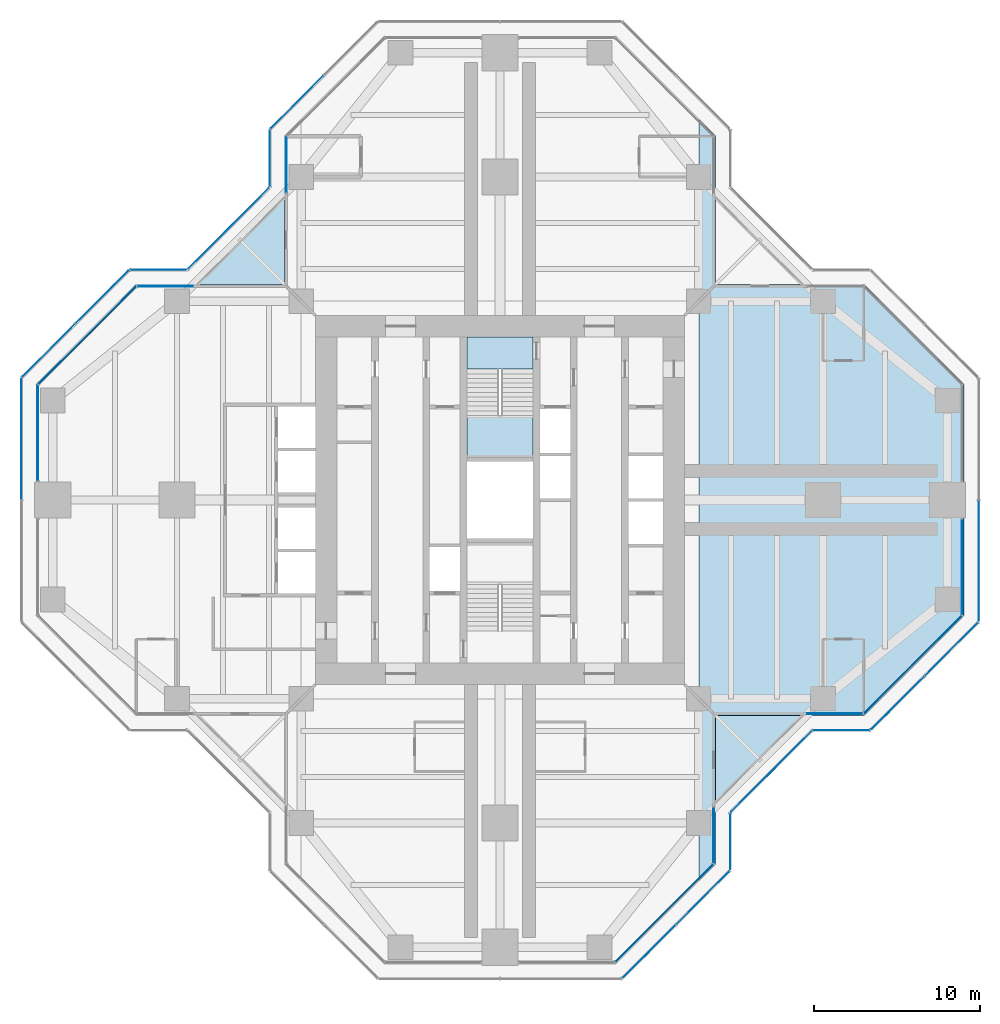
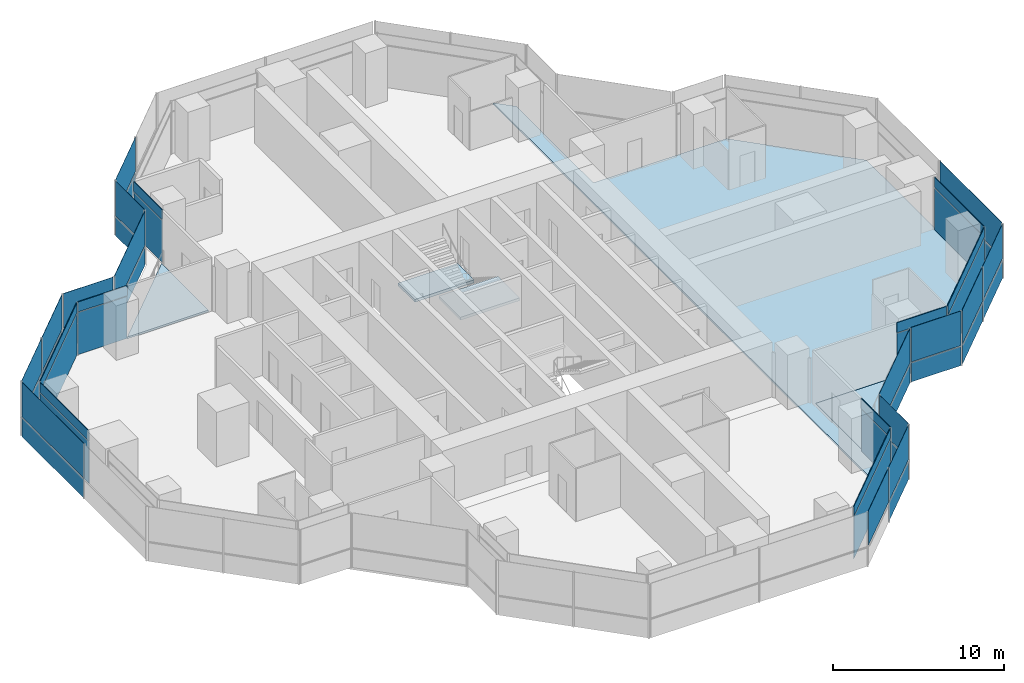
# One storey, part 11 of 17: 47 plates, 5 slabs, 22 elements without a shape of their own.
"""IFC4 building model written with IfcOpenShell, lengths in metres."""

from ifc_helpers import new_model, si_unit, direction, frame, origin, origin_2d, place, context, subcontext, project, spatial, polyline, rectangle, outline, extrude, material, layer, layer_set, type_object, element, aggregate, save


model = new_model("IFC4")

# Units and contexts
model_context = context("Model", 3, precision=1e-05, world=origin(), true_north=direction((0.0, 1.0)))
body_context = subcontext(model_context, "Body", "Model", "MODEL_VIEW")
ifc_project = project(units=[si_unit("LENGTHUNIT", "METRE"), si_unit("AREAUNIT", "SQUARE_METRE"), si_unit("VOLUMEUNIT", "CUBIC_METRE"), si_unit("PLANEANGLEUNIT", "RADIAN"), si_unit("MASSUNIT", "GRAM", prefix="KILO")], contexts=[model_context])

# Site, building, storey
site_placement = place(None, origin())
site = spatial("IfcSite", under=ifc_project, at=site_placement, CompositionType="ELEMENT")
building_placement = place(site_placement, origin())
building = spatial("IfcBuilding", under=site, at=building_placement, Name="Mizan Broadcast Tower", CompositionType="ELEMENT")
storey_placement = place(building_placement, frame((0.0, 0.0, 251.699951171875)))
storey = spatial("IfcBuildingStorey", under=building, at=storey_placement, Name="L59", CompositionType="ELEMENT", Elevation=251.699951171875)

# Slab
ifc_material_1 = material(Name="Concrete C32/40", Category="concrete")
ifc_layer_1 = layer(ifc_material_1, 0.1298828125)
ifc_layer_set_1 = layer_set([ifc_layer_1], Name="Concrete C32/40")
slab_type_1 = type_object("IfcSlabType", Name="COMPOSITE DECK SLAB 130", PredefinedType="FLOOR", material=ifc_layer_set_1)
slab_1_placement = place(storey_placement, frame((0.0, 0.0, -0.1298828125)))
element("IfcSlab", 1, at=slab_1_placement, inside=storey, type_object=slab_type_1, Name="Floor slab L59 east arm", PredefinedType="FLOOR", context=body_context, shape_type="SweptSolid", body=[
    extrude(outline(polyline([(13.0, 22.0), (12.0, 23.0), (12.0, -23.0), (13.0, -22.0), (13.0, -13.0), (22.0, -13.0), (28.0, -7.0), (28.0, 7.0), (22.0, 13.0), (13.0, 13.0), (13.0, 22.0)])), origin(), (0.0, 0.0, 1.0), 0.1298828125),
])

# Curtain wall, plate
ifc_material_2 = material(Name="Aluminium framed glazing", Category="aluminium")
curtain_wall_type_1 = type_object("IfcCurtainWallType", Name="INNER SKIN HIGH ZONE", PredefinedType="USERDEFINED", material=ifc_material_2)
curtain_wall_1_placement = place(storey_placement, origin())
curtain_wall_1 = element("IfcCurtainWall", 2, at=curtain_wall_1_placement, inside=storey, type_object=curtain_wall_type_1, Name="Inner skin high zone L59 E side", ObjectType="INNER SKIN HIGH ZONE", PredefinedType="USERDEFINED")
ifc_material_3 = material(Name="Double glazing, clear low-e", Category="glass")
ifc_layer_2 = layer(ifc_material_3, 0.028076171875)
ifc_layer_set_2 = layer_set([ifc_layer_2], Name="Double glazing, clear low-e")
plate_type_1 = type_object("IfcPlateType", Name="INNER SKIN GLAZING UNIT", PredefinedType="CURTAIN_PANEL", material=ifc_layer_set_2)
plate_1_placement = place(storey_placement, frame((20.229248046875, -12.89990234375, 0.0), z_axis=(0.0, 0.0, 1.0), x_axis=(1.0, 0.0, 0.0)))
plate_1 = element("IfcPlate", 3, at=plate_1_placement, type_object=plate_type_1, Name="Inner skin high zone L59 E side panel 1.1", PredefinedType="CURTAIN_PANEL", context=body_context, shape_type="SweptSolid", body=[
    extrude(rectangle(XDim=3.338623046875, YDim=0.028076171875, at=origin_2d()), origin(), (0.0, 0.0, 1.0), 3.0),
])

curtain_wall_2_placement = place(storey_placement, origin())
curtain_wall_2 = element("IfcCurtainWall", 4, at=curtain_wall_2_placement, inside=storey, type_object=curtain_wall_type_1, Name="Inner skin high zone L59 E chamfer", ObjectType="INNER SKIN HIGH ZONE", PredefinedType="USERDEFINED")
plate_2_placement = place(storey_placement, frame((24.92919921875, -9.92919921875, 0.0), z_axis=(0.0, 0.0, 1.0), x_axis=(0.707106781187, 0.707106781187, 0.0)))
plate_2 = element("IfcPlate", 5, at=plate_2_placement, type_object=plate_type_1, Name="Inner skin high zone L59 E chamfer panel 1.1", PredefinedType="CURTAIN_PANEL", context=body_context, shape_type="SweptSolid", body=[
    extrude(rectangle(XDim=8.282470703125, YDim=0.028076171875, at=origin_2d()), origin(), (0.0, 0.0, 1.0), 3.0),
])

curtain_wall_3_placement = place(storey_placement, origin())
curtain_wall_3 = element("IfcCurtainWall", 6, at=curtain_wall_3_placement, inside=storey, type_object=curtain_wall_type_1, Name="Inner skin high zone L59 E end", ObjectType="INNER SKIN HIGH ZONE", PredefinedType="USERDEFINED")
plate_3_placement = place(storey_placement, frame((27.89990234375, -4.029296875, 0.0), z_axis=(0.0, 0.0, 1.0), x_axis=(0.0, 1.0, 0.0)))
plate_3 = element("IfcPlate", 7, at=plate_3_placement, type_object=plate_type_1, Name="Inner skin high zone L59 E end panel 1.1", PredefinedType="CURTAIN_PANEL", context=body_context, shape_type="SweptSolid", body=[
    extrude(rectangle(XDim=5.738525390625, YDim=0.028076171875, at=origin_2d()), origin(), (0.0, 0.0, 1.0), 3.0),
])

curtain_wall_4_placement = place(storey_placement, origin())
curtain_wall_4 = element("IfcCurtainWall", 8, at=curtain_wall_4_placement, inside=storey, type_object=curtain_wall_type_1, Name="Inner skin high zone L59 N side", ObjectType="INNER SKIN HIGH ZONE", PredefinedType="USERDEFINED")
plate_4_placement = place(storey_placement, frame((-12.89990234375, 20.229248046875, 0.0), z_axis=(0.0, 0.0, 1.0), x_axis=(0.0, -1.0, 0.0)))
plate_4 = element("IfcPlate", 9, at=plate_4_placement, type_object=plate_type_1, Name="Inner skin high zone L59 N side panel 1.1", PredefinedType="CURTAIN_PANEL", context=body_context, shape_type="SweptSolid", body=[
    extrude(rectangle(XDim=3.338623046875, YDim=0.028076171875, at=origin_2d()), origin(), (0.0, 0.0, 1.0), 3.0),
])

curtain_wall_5_placement = place(storey_placement, origin())
curtain_wall_5 = element("IfcCurtainWall", 10, at=curtain_wall_5_placement, inside=storey, type_object=curtain_wall_type_1, Name="Inner skin high zone L59 W side", ObjectType="INNER SKIN HIGH ZONE", PredefinedType="USERDEFINED")
plate_5_placement = place(storey_placement, frame((-20.229248046875, 12.89990234375, 0.0), z_axis=(0.0, 0.0, 1.0), x_axis=(-1.0, 0.0, 0.0)))
plate_5 = element("IfcPlate", 11, at=plate_5_placement, type_object=plate_type_1, Name="Inner skin high zone L59 W side panel 1.1", PredefinedType="CURTAIN_PANEL", context=body_context, shape_type="SweptSolid", body=[
    extrude(rectangle(XDim=3.338623046875, YDim=0.028076171875, at=origin_2d()), origin(), (0.0, 0.0, 1.0), 3.0),
])

curtain_wall_6_placement = place(storey_placement, origin())
curtain_wall_6 = element("IfcCurtainWall", 12, at=curtain_wall_6_placement, inside=storey, type_object=curtain_wall_type_1, Name="Inner skin high zone L59 W chamfer", ObjectType="INNER SKIN HIGH ZONE", PredefinedType="USERDEFINED")
plate_6_placement = place(storey_placement, frame((-24.92919921875, 9.92919921875, 0.0), z_axis=(0.0, 0.0, 1.0), x_axis=(-0.707106781187, -0.707106781187, 0.0)))
plate_6 = element("IfcPlate", 13, at=plate_6_placement, type_object=plate_type_1, Name="Inner skin high zone L59 W chamfer panel 1.1", PredefinedType="CURTAIN_PANEL", context=body_context, shape_type="SweptSolid", body=[
    extrude(rectangle(XDim=8.282470703125, YDim=0.028076171875, at=origin_2d()), origin(), (0.0, 0.0, 1.0), 3.0),
])

curtain_wall_7_placement = place(storey_placement, origin())
curtain_wall_7 = element("IfcCurtainWall", 14, at=curtain_wall_7_placement, inside=storey, type_object=curtain_wall_type_1, Name="Inner skin high zone L59 W end", ObjectType="INNER SKIN HIGH ZONE", PredefinedType="USERDEFINED")
plate_7_placement = place(storey_placement, frame((-27.89990234375, 4.029296875, 0.0), z_axis=(0.0, 0.0, 1.0), x_axis=(0.0, -1.0, 0.0)))
plate_7 = element("IfcPlate", 15, at=plate_7_placement, type_object=plate_type_1, Name="Inner skin high zone L59 W end panel 1.1", PredefinedType="CURTAIN_PANEL", context=body_context, shape_type="SweptSolid", body=[
    extrude(rectangle(XDim=5.738525390625, YDim=0.028076171875, at=origin_2d()), origin(), (0.0, 0.0, 1.0), 3.0),
])

curtain_wall_8_placement = place(storey_placement, origin())
curtain_wall_8 = element("IfcCurtainWall", 16, at=curtain_wall_8_placement, inside=storey, type_object=curtain_wall_type_1, Name="Inner skin high zone L59 S chamfer", ObjectType="INNER SKIN HIGH ZONE", PredefinedType="USERDEFINED")
plate_8_placement = place(storey_placement, frame((9.92919921875, -24.92919921875, 0.0), z_axis=(0.0, 0.0, 1.0), x_axis=(0.707106781187, 0.707106781187, 0.0)))
plate_8 = element("IfcPlate", 17, at=plate_8_placement, type_object=plate_type_1, Name="Inner skin high zone L59 S chamfer panel 1.1", PredefinedType="CURTAIN_PANEL", context=body_context, shape_type="SweptSolid", body=[
    extrude(rectangle(XDim=8.282470703125, YDim=0.028076171875, at=origin_2d()), origin(), (0.0, 0.0, 1.0), 3.0),
])

curtain_wall_9_placement = place(storey_placement, origin())
curtain_wall_9 = element("IfcCurtainWall", 18, at=curtain_wall_9_placement, inside=storey, type_object=curtain_wall_type_1, Name="Inner skin high zone L59 S side", ObjectType="INNER SKIN HIGH ZONE", PredefinedType="USERDEFINED")
plate_9_placement = place(storey_placement, frame((12.89990234375, -20.229248046875, 0.0), z_axis=(0.0, 0.0, 1.0), x_axis=(0.0, 1.0, 0.0)))
plate_9 = element("IfcPlate", 19, at=plate_9_placement, type_object=plate_type_1, Name="Inner skin high zone L59 S side panel 1.1", PredefinedType="CURTAIN_PANEL", context=body_context, shape_type="SweptSolid", body=[
    extrude(rectangle(XDim=3.338623046875, YDim=0.028076171875, at=origin_2d()), origin(), (0.0, 0.0, 1.0), 3.0),
])

# Plate
ifc_material_4 = material(Name="Insulated aluminium spandrel panel, pale anodised", Category="aluminium")
ifc_layer_3 = layer(ifc_material_4, 0.050048828125)
ifc_layer_set_3 = layer_set([ifc_layer_3], Name="Insulated aluminium spandrel panel, pale anodised")
plate_type_2 = type_object("IfcPlateType", Name="INNER SKIN SPANDREL PANEL", PredefinedType="CURTAIN_PANEL", material=ifc_layer_set_3)
plate_10_placement = place(storey_placement, frame((20.229248046875, -12.89990234375, 3.06005859375), z_axis=(0.0, 0.0, 1.0), x_axis=(1.0, 0.0, 0.0)))
plate_10 = element("IfcPlate", 20, at=plate_10_placement, type_object=plate_type_2, Name="Inner skin high zone L59 E side panel 1.2", PredefinedType="CURTAIN_PANEL", context=body_context, shape_type="SweptSolid", body=[
    extrude(rectangle(XDim=3.338623046875, YDim=0.050048828125, at=origin_2d()), origin(), (0.0, 0.0, 1.0), 0.7099609375),
])

aggregate(curtain_wall_1, [plate_1, plate_10])

plate_11_placement = place(storey_placement, frame((24.92919921875, -9.92919921875, 3.06005859375), z_axis=(0.0, 0.0, 1.0), x_axis=(0.707106781187, 0.707106781187, 0.0)))
plate_11 = element("IfcPlate", 21, at=plate_11_placement, type_object=plate_type_2, Name="Inner skin high zone L59 E chamfer panel 1.2", PredefinedType="CURTAIN_PANEL", context=body_context, shape_type="SweptSolid", body=[
    extrude(rectangle(XDim=8.282470703125, YDim=0.050048828125, at=origin_2d()), origin(), (0.0, 0.0, 1.0), 0.7099609375),
])

aggregate(curtain_wall_2, [plate_2, plate_11])

plate_12_placement = place(storey_placement, frame((27.89990234375, -4.029296875, 3.06005859375), z_axis=(0.0, 0.0, 1.0), x_axis=(0.0, 1.0, 0.0)))
plate_12 = element("IfcPlate", 22, at=plate_12_placement, type_object=plate_type_2, Name="Inner skin high zone L59 E end panel 1.2", PredefinedType="CURTAIN_PANEL", context=body_context, shape_type="SweptSolid", body=[
    extrude(rectangle(XDim=5.738525390625, YDim=0.050048828125, at=origin_2d()), origin(), (0.0, 0.0, 1.0), 0.7099609375),
])

aggregate(curtain_wall_3, [plate_3, plate_12])

plate_13_placement = place(storey_placement, frame((-12.89990234375, 20.229248046875, 3.06005859375), z_axis=(0.0, 0.0, 1.0), x_axis=(0.0, -1.0, 0.0)))
plate_13 = element("IfcPlate", 23, at=plate_13_placement, type_object=plate_type_2, Name="Inner skin high zone L59 N side panel 1.2", PredefinedType="CURTAIN_PANEL", context=body_context, shape_type="SweptSolid", body=[
    extrude(rectangle(XDim=3.338623046875, YDim=0.050048828125, at=origin_2d()), origin(), (0.0, 0.0, 1.0), 0.7099609375),
])

aggregate(curtain_wall_4, [plate_4, plate_13])

plate_14_placement = place(storey_placement, frame((-20.229248046875, 12.89990234375, 3.06005859375), z_axis=(0.0, 0.0, 1.0), x_axis=(-1.0, 0.0, 0.0)))
plate_14 = element("IfcPlate", 24, at=plate_14_placement, type_object=plate_type_2, Name="Inner skin high zone L59 W side panel 1.2", PredefinedType="CURTAIN_PANEL", context=body_context, shape_type="SweptSolid", body=[
    extrude(rectangle(XDim=3.338623046875, YDim=0.050048828125, at=origin_2d()), origin(), (0.0, 0.0, 1.0), 0.7099609375),
])

aggregate(curtain_wall_5, [plate_5, plate_14])

plate_15_placement = place(storey_placement, frame((-24.92919921875, 9.92919921875, 3.06005859375), z_axis=(0.0, 0.0, 1.0), x_axis=(-0.707106781187, -0.707106781187, 0.0)))
plate_15 = element("IfcPlate", 25, at=plate_15_placement, type_object=plate_type_2, Name="Inner skin high zone L59 W chamfer panel 1.2", PredefinedType="CURTAIN_PANEL", context=body_context, shape_type="SweptSolid", body=[
    extrude(rectangle(XDim=8.282470703125, YDim=0.050048828125, at=origin_2d()), origin(), (0.0, 0.0, 1.0), 0.7099609375),
])

aggregate(curtain_wall_6, [plate_6, plate_15])

plate_16_placement = place(storey_placement, frame((-27.89990234375, 4.029296875, 3.06005859375), z_axis=(0.0, 0.0, 1.0), x_axis=(0.0, -1.0, 0.0)))
plate_16 = element("IfcPlate", 26, at=plate_16_placement, type_object=plate_type_2, Name="Inner skin high zone L59 W end panel 1.2", PredefinedType="CURTAIN_PANEL", context=body_context, shape_type="SweptSolid", body=[
    extrude(rectangle(XDim=5.738525390625, YDim=0.050048828125, at=origin_2d()), origin(), (0.0, 0.0, 1.0), 0.7099609375),
])

aggregate(curtain_wall_7, [plate_7, plate_16])

plate_17_placement = place(storey_placement, frame((9.92919921875, -24.92919921875, 3.06005859375), z_axis=(0.0, 0.0, 1.0), x_axis=(0.707106781187, 0.707106781187, 0.0)))
plate_17 = element("IfcPlate", 27, at=plate_17_placement, type_object=plate_type_2, Name="Inner skin high zone L59 S chamfer panel 1.2", PredefinedType="CURTAIN_PANEL", context=body_context, shape_type="SweptSolid", body=[
    extrude(rectangle(XDim=8.282470703125, YDim=0.050048828125, at=origin_2d()), origin(), (0.0, 0.0, 1.0), 0.7099609375),
])

aggregate(curtain_wall_8, [plate_8, plate_17])

plate_18_placement = place(storey_placement, frame((12.89990234375, -20.229248046875, 3.06005859375), z_axis=(0.0, 0.0, 1.0), x_axis=(0.0, 1.0, 0.0)))
plate_18 = element("IfcPlate", 28, at=plate_18_placement, type_object=plate_type_2, Name="Inner skin high zone L59 S side panel 1.2", PredefinedType="CURTAIN_PANEL", context=body_context, shape_type="SweptSolid", body=[
    extrude(rectangle(XDim=3.338623046875, YDim=0.050048828125, at=origin_2d()), origin(), (0.0, 0.0, 1.0), 0.7099609375),
])

aggregate(curtain_wall_9, [plate_9, plate_18])

# Curtain wall, plates
ifc_material_5 = material(Name="Aluminium framed glazing", Category="aluminium")
curtain_wall_type_2 = type_object("IfcCurtainWallType", Name="OUTER SKIN", PredefinedType="USERDEFINED", material=ifc_material_5)
curtain_wall_10_placement = place(storey_placement, origin())
curtain_wall_10 = element("IfcCurtainWall", 29, at=curtain_wall_10_placement, inside=storey, type_object=curtain_wall_type_2, Name="Outer skin L59 E chamfer", ObjectType="OUTER SKIN", PredefinedType="USERDEFINED")
ifc_material_6 = material(Name="Laminated clear glass", Category="glass")
ifc_layer_4 = layer(ifc_material_6, 0.02001953125)
ifc_layer_set_4 = layer_set([ifc_layer_4], Name="Laminated clear glass")
plate_type_3 = type_object("IfcPlateType", Name="OUTER SKIN CLEAR GLASS", PredefinedType="CURTAIN_PANEL", material=ifc_layer_set_4)
plate_19_placement = place(storey_placement, frame((24.018798828125, -12.254150390625, 0.0), z_axis=(0.0, 0.0, 1.0), x_axis=(0.707106781187, 0.707106781187, 0.0)))
plate_19 = element("IfcPlate", 30, at=plate_19_placement, type_object=plate_type_3, Name="Outer skin L59 E chamfer panel 1.1", PredefinedType="CURTAIN_PANEL", context=body_context, shape_type="SweptSolid", body=[
    extrude(rectangle(XDim=4.495361328125, YDim=0.02001953125, at=origin_2d()), origin(), (0.0, 0.0, 1.0), 1.3701171875),
])
plate_20_placement = place(storey_placement, frame((24.018798828125, -12.254150390625, 1.43017578125), z_axis=(0.0, 0.0, 1.0), x_axis=(0.707106781187, 0.707106781187, 0.0)))
plate_20 = element("IfcPlate", 31, at=plate_20_placement, type_object=plate_type_3, Name="Outer skin L59 E chamfer panel 1.2", PredefinedType="CURTAIN_PANEL", context=body_context, shape_type="SweptSolid", body=[
    extrude(rectangle(XDim=4.495361328125, YDim=0.02001953125, at=origin_2d()), origin(), (0.0, 0.0, 1.0), 2.469970703125),
])

curtain_wall_11_placement = place(storey_placement, origin())
curtain_wall_11 = element("IfcCurtainWall", 32, at=curtain_wall_11_placement, inside=storey, type_object=curtain_wall_type_2, Name="Outer skin L59 E end", ObjectType="OUTER SKIN", PredefinedType="USERDEFINED")
plate_21_placement = place(storey_placement, frame((28.89990234375, -3.66650390625, 0.0), z_axis=(0.0, 0.0, 1.0), x_axis=(0.0, 1.0, 0.0)))
plate_21 = element("IfcPlate", 33, at=plate_21_placement, type_object=plate_type_3, Name="Outer skin L59 E end panel 1.1", PredefinedType="CURTAIN_PANEL", context=body_context, shape_type="SweptSolid", body=[
    extrude(rectangle(XDim=7.252685546875, YDim=0.02001953125, at=origin_2d()), origin(), (0.0, 0.0, 1.0), 1.3701171875),
])
plate_22_placement = place(storey_placement, frame((28.89990234375, -3.66650390625, 1.43017578125), z_axis=(0.0, 0.0, 1.0), x_axis=(0.0, 1.0, 0.0)))
plate_22 = element("IfcPlate", 34, at=plate_22_placement, type_object=plate_type_3, Name="Outer skin L59 E end panel 1.2", PredefinedType="CURTAIN_PANEL", context=body_context, shape_type="SweptSolid", body=[
    extrude(rectangle(XDim=7.252685546875, YDim=0.02001953125, at=origin_2d()), origin(), (0.0, 0.0, 1.0), 2.469970703125),
])
aggregate(curtain_wall_11, [plate_21, plate_22])

curtain_wall_12_placement = place(storey_placement, origin())
curtain_wall_12 = element("IfcCurtainWall", 35, at=curtain_wall_12_placement, inside=storey, type_object=curtain_wall_type_2, Name="Outer skin L59 N side", ObjectType="OUTER SKIN", PredefinedType="USERDEFINED")
plate_23_placement = place(storey_placement, frame((-13.89990234375, 20.622802734375, 0.0), z_axis=(0.0, 0.0, 1.0), x_axis=(0.0, -1.0, 0.0)))
plate_23 = element("IfcPlate", 36, at=plate_23_placement, type_object=plate_type_3, Name="Outer skin L59 N side panel 1.1", PredefinedType="CURTAIN_PANEL", context=body_context, shape_type="SweptSolid", body=[
    extrude(rectangle(XDim=3.340087890625, YDim=0.02001953125, at=origin_2d()), origin(), (0.0, 0.0, 1.0), 1.3701171875),
])
plate_24_placement = place(storey_placement, frame((-13.89990234375, 20.622802734375, 1.43017578125), z_axis=(0.0, 0.0, 1.0), x_axis=(0.0, -1.0, 0.0)))
plate_24 = element("IfcPlate", 37, at=plate_24_placement, type_object=plate_type_3, Name="Outer skin L59 N side panel 1.2", PredefinedType="CURTAIN_PANEL", context=body_context, shape_type="SweptSolid", body=[
    extrude(rectangle(XDim=3.340087890625, YDim=0.02001953125, at=origin_2d()), origin(), (0.0, 0.0, 1.0), 2.469970703125),
])
aggregate(curtain_wall_12, [plate_23, plate_24])

curtain_wall_13_placement = place(storey_placement, origin())
curtain_wall_13 = element("IfcCurtainWall", 38, at=curtain_wall_13_placement, inside=storey, type_object=curtain_wall_type_2, Name="Outer skin L59 W chamfer", ObjectType="OUTER SKIN", PredefinedType="USERDEFINED")
plate_25_placement = place(storey_placement, frame((-16.386474609375, 16.386474609375, 0.0), z_axis=(0.0, 0.0, 1.0), x_axis=(-0.707106781187, -0.707106781187, 0.0)))
plate_25 = element("IfcPlate", 39, at=plate_25_placement, type_object=plate_type_3, Name="Outer skin L59 W chamfer panel 1.1", PredefinedType="CURTAIN_PANEL", context=body_context, shape_type="SweptSolid", body=[
    extrude(rectangle(XDim=6.87255859375, YDim=0.02001953125, at=origin_2d()), origin(), (0.0, 0.0, 1.0), 1.3701171875),
])
plate_26_placement = place(storey_placement, frame((-16.386474609375, 16.386474609375, 1.43017578125), z_axis=(0.0, 0.0, 1.0), x_axis=(-0.707106781187, -0.707106781187, 0.0)))
plate_26 = element("IfcPlate", 40, at=plate_26_placement, type_object=plate_type_3, Name="Outer skin L59 W chamfer panel 1.2", PredefinedType="CURTAIN_PANEL", context=body_context, shape_type="SweptSolid", body=[
    extrude(rectangle(XDim=6.87255859375, YDim=0.02001953125, at=origin_2d()), origin(), (0.0, 0.0, 1.0), 2.469970703125),
])
aggregate(curtain_wall_13, [plate_25, plate_26])

curtain_wall_14_placement = place(storey_placement, origin())
curtain_wall_14 = element("IfcCurtainWall", 41, at=curtain_wall_14_placement, inside=storey, type_object=curtain_wall_type_2, Name="Outer skin L59 W side", ObjectType="OUTER SKIN", PredefinedType="USERDEFINED")
plate_27_placement = place(storey_placement, frame((-20.622802734375, 13.89990234375, 0.0), z_axis=(0.0, 0.0, 1.0), x_axis=(-1.0, 0.0, 0.0)))
plate_27 = element("IfcPlate", 42, at=plate_27_placement, type_object=plate_type_3, Name="Outer skin L59 W side panel 1.1", PredefinedType="CURTAIN_PANEL", context=body_context, shape_type="SweptSolid", body=[
    extrude(rectangle(XDim=3.340087890625, YDim=0.02001953125, at=origin_2d()), origin(), (0.0, 0.0, 1.0), 1.3701171875),
])
plate_28_placement = place(storey_placement, frame((-20.622802734375, 13.89990234375, 1.43017578125), z_axis=(0.0, 0.0, 1.0), x_axis=(-1.0, 0.0, 0.0)))
plate_28 = element("IfcPlate", 43, at=plate_28_placement, type_object=plate_type_3, Name="Outer skin L59 W side panel 1.2", PredefinedType="CURTAIN_PANEL", context=body_context, shape_type="SweptSolid", body=[
    extrude(rectangle(XDim=3.340087890625, YDim=0.02001953125, at=origin_2d()), origin(), (0.0, 0.0, 1.0), 2.469970703125),
])
aggregate(curtain_wall_14, [plate_27, plate_28])

curtain_wall_15_placement = place(storey_placement, origin())
curtain_wall_15 = element("IfcCurtainWall", 44, at=curtain_wall_15_placement, inside=storey, type_object=curtain_wall_type_2, Name="Outer skin L59 W chamfer", ObjectType="OUTER SKIN", PredefinedType="USERDEFINED")
plate_29_placement = place(storey_placement, frame((-24.018798828125, 12.254150390625, 0.0), z_axis=(0.0, 0.0, 1.0), x_axis=(-0.707106781187, -0.707106781187, 0.0)))
plate_29 = element("IfcPlate", 45, at=plate_29_placement, type_object=plate_type_3, Name="Outer skin L59 W chamfer panel 1.1", PredefinedType="CURTAIN_PANEL", context=body_context, shape_type="SweptSolid", body=[
    extrude(rectangle(XDim=4.495361328125, YDim=0.02001953125, at=origin_2d()), origin(), (0.0, 0.0, 1.0), 1.3701171875),
])
plate_30_placement = place(storey_placement, frame((-24.018798828125, 12.254150390625, 1.43017578125), z_axis=(0.0, 0.0, 1.0), x_axis=(-0.707106781187, -0.707106781187, 0.0)))
plate_30 = element("IfcPlate", 46, at=plate_30_placement, type_object=plate_type_3, Name="Outer skin L59 W chamfer panel 1.2", PredefinedType="CURTAIN_PANEL", context=body_context, shape_type="SweptSolid", body=[
    extrude(rectangle(XDim=4.495361328125, YDim=0.02001953125, at=origin_2d()), origin(), (0.0, 0.0, 1.0), 2.469970703125),
])

curtain_wall_16_placement = place(storey_placement, origin())
curtain_wall_16 = element("IfcCurtainWall", 47, at=curtain_wall_16_placement, inside=storey, type_object=curtain_wall_type_2, Name="Outer skin L59 W end", ObjectType="OUTER SKIN", PredefinedType="USERDEFINED")
plate_31_placement = place(storey_placement, frame((-28.89990234375, 3.66650390625, 0.0), z_axis=(0.0, 0.0, 1.0), x_axis=(0.0, -1.0, 0.0)))
plate_31 = element("IfcPlate", 48, at=plate_31_placement, type_object=plate_type_3, Name="Outer skin L59 W end panel 1.1", PredefinedType="CURTAIN_PANEL", context=body_context, shape_type="SweptSolid", body=[
    extrude(rectangle(XDim=7.252685546875, YDim=0.02001953125, at=origin_2d()), origin(), (0.0, 0.0, 1.0), 1.3701171875),
])
plate_32_placement = place(storey_placement, frame((-28.89990234375, 3.66650390625, 1.43017578125), z_axis=(0.0, 0.0, 1.0), x_axis=(0.0, -1.0, 0.0)))
plate_32 = element("IfcPlate", 49, at=plate_32_placement, type_object=plate_type_3, Name="Outer skin L59 W end panel 1.2", PredefinedType="CURTAIN_PANEL", context=body_context, shape_type="SweptSolid", body=[
    extrude(rectangle(XDim=7.252685546875, YDim=0.02001953125, at=origin_2d()), origin(), (0.0, 0.0, 1.0), 2.469970703125),
])
aggregate(curtain_wall_16, [plate_31, plate_32])

# Curtain wall, plate
curtain_wall_17_placement = place(storey_placement, origin())
curtain_wall_17 = element("IfcCurtainWall", 50, at=curtain_wall_17_placement, inside=storey, type_object=curtain_wall_type_2, Name="Outer skin L59 S chamfer", ObjectType="OUTER SKIN", PredefinedType="USERDEFINED")
plate_33_placement = place(storey_placement, frame((9.018798828125, -27.254150390625, 1.43017578125), z_axis=(0.0, 0.0, 1.0), x_axis=(0.707106781187, 0.707106781187, 0.0)))
plate_33 = element("IfcPlate", 51, at=plate_33_placement, type_object=plate_type_3, Name="Outer skin L59 S chamfer panel 1.2", PredefinedType="CURTAIN_PANEL", context=body_context, shape_type="SweptSolid", body=[
    extrude(rectangle(XDim=4.495361328125, YDim=0.02001953125, at=origin_2d()), origin(), (0.0, 0.0, 1.0), 2.469970703125),
])

# Curtain wall, plates
curtain_wall_18_placement = place(storey_placement, origin())
curtain_wall_18 = element("IfcCurtainWall", 52, at=curtain_wall_18_placement, inside=storey, type_object=curtain_wall_type_2, Name="Outer skin L59 S side", ObjectType="OUTER SKIN", PredefinedType="USERDEFINED")
plate_34_placement = place(storey_placement, frame((13.89990234375, -20.622802734375, 0.0), z_axis=(0.0, 0.0, 1.0), x_axis=(0.0, 1.0, 0.0)))
plate_34 = element("IfcPlate", 53, at=plate_34_placement, type_object=plate_type_3, Name="Outer skin L59 S side panel 1.1", PredefinedType="CURTAIN_PANEL", context=body_context, shape_type="SweptSolid", body=[
    extrude(rectangle(XDim=3.340087890625, YDim=0.02001953125, at=origin_2d()), origin(), (0.0, 0.0, 1.0), 1.3701171875),
])
plate_35_placement = place(storey_placement, frame((13.89990234375, -20.622802734375, 1.43017578125), z_axis=(0.0, 0.0, 1.0), x_axis=(0.0, 1.0, 0.0)))
plate_35 = element("IfcPlate", 54, at=plate_35_placement, type_object=plate_type_3, Name="Outer skin L59 S side panel 1.2", PredefinedType="CURTAIN_PANEL", context=body_context, shape_type="SweptSolid", body=[
    extrude(rectangle(XDim=3.340087890625, YDim=0.02001953125, at=origin_2d()), origin(), (0.0, 0.0, 1.0), 2.469970703125),
])
aggregate(curtain_wall_18, [plate_34, plate_35])

curtain_wall_19_placement = place(storey_placement, origin())
curtain_wall_19 = element("IfcCurtainWall", 55, at=curtain_wall_19_placement, inside=storey, type_object=curtain_wall_type_2, Name="Outer skin L59 E chamfer", ObjectType="OUTER SKIN", PredefinedType="USERDEFINED")
plate_36_placement = place(storey_placement, frame((16.386474609375, -16.386474609375, 0.0), z_axis=(0.0, 0.0, 1.0), x_axis=(0.707106781187, 0.707106781187, 0.0)))
plate_36 = element("IfcPlate", 56, at=plate_36_placement, type_object=plate_type_3, Name="Outer skin L59 E chamfer panel 1.1", PredefinedType="CURTAIN_PANEL", context=body_context, shape_type="SweptSolid", body=[
    extrude(rectangle(XDim=6.87255859375, YDim=0.02001953125, at=origin_2d()), origin(), (0.0, 0.0, 1.0), 1.3701171875),
])
plate_37_placement = place(storey_placement, frame((16.386474609375, -16.386474609375, 1.43017578125), z_axis=(0.0, 0.0, 1.0), x_axis=(0.707106781187, 0.707106781187, 0.0)))
plate_37 = element("IfcPlate", 57, at=plate_37_placement, type_object=plate_type_3, Name="Outer skin L59 E chamfer panel 1.2", PredefinedType="CURTAIN_PANEL", context=body_context, shape_type="SweptSolid", body=[
    extrude(rectangle(XDim=6.87255859375, YDim=0.02001953125, at=origin_2d()), origin(), (0.0, 0.0, 1.0), 2.469970703125),
])
aggregate(curtain_wall_19, [plate_36, plate_37])

curtain_wall_20_placement = place(storey_placement, origin())
curtain_wall_20 = element("IfcCurtainWall", 58, at=curtain_wall_20_placement, inside=storey, type_object=curtain_wall_type_2, Name="Outer skin L59 E side", ObjectType="OUTER SKIN", PredefinedType="USERDEFINED")
plate_38_placement = place(storey_placement, frame((20.622802734375, -13.89990234375, 0.0), z_axis=(0.0, 0.0, 1.0), x_axis=(1.0, 0.0, 0.0)))
plate_38 = element("IfcPlate", 59, at=plate_38_placement, type_object=plate_type_3, Name="Outer skin L59 E side panel 1.1", PredefinedType="CURTAIN_PANEL", context=body_context, shape_type="SweptSolid", body=[
    extrude(rectangle(XDim=3.340087890625, YDim=0.02001953125, at=origin_2d()), origin(), (0.0, 0.0, 1.0), 1.3701171875),
])
plate_39_placement = place(storey_placement, frame((20.622802734375, -13.89990234375, 1.43017578125), z_axis=(0.0, 0.0, 1.0), x_axis=(1.0, 0.0, 0.0)))
plate_39 = element("IfcPlate", 60, at=plate_39_placement, type_object=plate_type_3, Name="Outer skin L59 E side panel 1.2", PredefinedType="CURTAIN_PANEL", context=body_context, shape_type="SweptSolid", body=[
    extrude(rectangle(XDim=3.340087890625, YDim=0.02001953125, at=origin_2d()), origin(), (0.0, 0.0, 1.0), 2.469970703125),
])
aggregate(curtain_wall_20, [plate_38, plate_39])

# Plate
ifc_material_7 = material(Name="Perforated aluminium, pale anodised", Category="aluminium")
ifc_layer_5 = layer(ifc_material_7, 0.011962890625)
ifc_layer_set_5 = layer_set([ifc_layer_5], Name="Perforated aluminium, pale anodised")
plate_type_4 = type_object("IfcPlateType", Name="OUTER SKIN PERFORATED SCREEN", PredefinedType="USERDEFINED", material=ifc_layer_set_5)
plate_40_placement = place(storey_placement, frame((27.254150390625, -9.018798828125, 0.0), z_axis=(0.0, 0.0, 1.0), x_axis=(0.707106781187, 0.707106781187, 0.0)))
plate_40 = element("IfcPlate", 61, at=plate_40_placement, type_object=plate_type_4, Name="Outer skin L59 E chamfer panel 2.1", ObjectType="SCREEN", PredefinedType="USERDEFINED", context=body_context, shape_type="SweptSolid", body=[
    extrude(rectangle(XDim=4.495361328125, YDim=0.011962890625, at=origin_2d()), origin(), (0.0, 0.0, 1.0), 1.3701171875),
])

plate_41_placement = place(storey_placement, frame((27.254150390625, -9.018798828125, 1.43017578125), z_axis=(0.0, 0.0, 1.0), x_axis=(0.707106781187, 0.707106781187, 0.0)))
plate_41 = element("IfcPlate", 62, at=plate_41_placement, type_object=plate_type_4, Name="Outer skin L59 E chamfer panel 2.2", ObjectType="SCREEN", PredefinedType="USERDEFINED", context=body_context, shape_type="SweptSolid", body=[
    extrude(rectangle(XDim=4.495361328125, YDim=0.011962890625, at=origin_2d()), origin(), (0.0, 0.0, 1.0), 2.469970703125),
])

aggregate(curtain_wall_10, [plate_19, plate_20, plate_40, plate_41])

# Curtain wall, plates
curtain_wall_21_placement = place(storey_placement, origin())
curtain_wall_21 = element("IfcCurtainWall", 63, at=curtain_wall_21_placement, inside=storey, type_object=curtain_wall_type_2, Name="Outer skin L59 N chamfer", ObjectType="OUTER SKIN", PredefinedType="USERDEFINED")
plate_42_placement = place(storey_placement, frame((-12.254150390625, 24.018798828125, 0.0), z_axis=(0.0, 0.0, 1.0), x_axis=(-0.707106781187, -0.707106781187, 0.0)))
plate_42 = element("IfcPlate", 64, at=plate_42_placement, type_object=plate_type_4, Name="Outer skin L59 N chamfer panel 2.1", ObjectType="SCREEN", PredefinedType="USERDEFINED", context=body_context, shape_type="SweptSolid", body=[
    extrude(rectangle(XDim=4.495361328125, YDim=0.011962890625, at=origin_2d()), origin(), (0.0, 0.0, 1.0), 1.3701171875),
])
plate_43_placement = place(storey_placement, frame((-12.254150390625, 24.018798828125, 1.43017578125), z_axis=(0.0, 0.0, 1.0), x_axis=(-0.707106781187, -0.707106781187, 0.0)))
plate_43 = element("IfcPlate", 65, at=plate_43_placement, type_object=plate_type_4, Name="Outer skin L59 N chamfer panel 2.2", ObjectType="SCREEN", PredefinedType="USERDEFINED", context=body_context, shape_type="SweptSolid", body=[
    extrude(rectangle(XDim=4.495361328125, YDim=0.011962890625, at=origin_2d()), origin(), (0.0, 0.0, 1.0), 2.469970703125),
])
aggregate(curtain_wall_21, [plate_42, plate_43])

# Plate
plate_44_placement = place(storey_placement, frame((-27.254150390625, 9.018798828125, 0.0), z_axis=(0.0, 0.0, 1.0), x_axis=(-0.707106781187, -0.707106781187, 0.0)))
plate_44 = element("IfcPlate", 66, at=plate_44_placement, type_object=plate_type_4, Name="Outer skin L59 W chamfer panel 2.1", ObjectType="SCREEN", PredefinedType="USERDEFINED", context=body_context, shape_type="SweptSolid", body=[
    extrude(rectangle(XDim=4.495361328125, YDim=0.011962890625, at=origin_2d()), origin(), (0.0, 0.0, 1.0), 1.3701171875),
])

plate_45_placement = place(storey_placement, frame((-27.254150390625, 9.018798828125, 1.43017578125), z_axis=(0.0, 0.0, 1.0), x_axis=(-0.707106781187, -0.707106781187, 0.0)))
plate_45 = element("IfcPlate", 67, at=plate_45_placement, type_object=plate_type_4, Name="Outer skin L59 W chamfer panel 2.2", ObjectType="SCREEN", PredefinedType="USERDEFINED", context=body_context, shape_type="SweptSolid", body=[
    extrude(rectangle(XDim=4.495361328125, YDim=0.011962890625, at=origin_2d()), origin(), (0.0, 0.0, 1.0), 2.469970703125),
])

aggregate(curtain_wall_15, [plate_29, plate_30, plate_44, plate_45])

plate_46_placement = place(storey_placement, frame((12.254150390625, -24.018798828125, 0.0), z_axis=(0.0, 0.0, 1.0), x_axis=(0.707106781187, 0.707106781187, 0.0)))
plate_46 = element("IfcPlate", 68, at=plate_46_placement, type_object=plate_type_4, Name="Outer skin L59 S chamfer panel 2.1", ObjectType="SCREEN", PredefinedType="USERDEFINED", context=body_context, shape_type="SweptSolid", body=[
    extrude(rectangle(XDim=4.495361328125, YDim=0.011962890625, at=origin_2d()), origin(), (0.0, 0.0, 1.0), 1.3701171875),
])

plate_47_placement = place(storey_placement, frame((12.254150390625, -24.018798828125, 1.43017578125), z_axis=(0.0, 0.0, 1.0), x_axis=(0.707106781187, 0.707106781187, 0.0)))
plate_47 = element("IfcPlate", 69, at=plate_47_placement, type_object=plate_type_4, Name="Outer skin L59 S chamfer panel 2.2", ObjectType="SCREEN", PredefinedType="USERDEFINED", context=body_context, shape_type="SweptSolid", body=[
    extrude(rectangle(XDim=4.495361328125, YDim=0.011962890625, at=origin_2d()), origin(), (0.0, 0.0, 1.0), 2.469970703125),
])

aggregate(curtain_wall_17, [plate_33, plate_46, plate_47])

# Stair, slabs
ifc_material_8 = material(Name="Concrete C40/50", Category="concrete")
stair_type = type_object("IfcStairType", Name="EXIT STAIR", PredefinedType="HALF_TURN_STAIR", material=ifc_material_8)
stair_placement = place(storey_placement, origin())
stair = element("IfcStair", 70, at=stair_placement, inside=storey, type_object=stair_type, Name="Stair B L59", PredefinedType="HALF_TURN_STAIR")
ifc_material_9 = material(Name="Concrete C40/50", Category="concrete")
ifc_layer_6 = layer(ifc_material_9, 0.199951171875)
ifc_layer_set_6 = layer_set([ifc_layer_6], Name="Concrete C40/50")
slab_type_2 = type_object("IfcSlabType", Name="STAIR LANDING 200", PredefinedType="LANDING", material=ifc_layer_set_6)
slab_2_placement = place(storey_placement, frame((0.0, 0.0, -0.199951171875)))
slab_2 = element("IfcSlab", 71, at=slab_2_placement, type_object=slab_type_2, Name="B landing 1", PredefinedType="LANDING", context=body_context, shape_type="SweptSolid", body=[
    extrude(outline(polyline([(2.0, 9.85009765625), (2.0, 7.89990234375), (-2.0, 7.89990234375), (-2.0, 9.85009765625), (2.0, 9.85009765625)])), origin(), (0.0, 0.0, 1.0), 0.199951171875),
])
slab_3_placement = place(storey_placement, frame((0.0, 0.0, 1.75)))
slab_3 = element("IfcSlab", 72, at=slab_3_placement, type_object=slab_type_2, Name="B landing 2", PredefinedType="LANDING", context=body_context, shape_type="SweptSolid", body=[
    extrude(outline(polyline([(2.0, 5.10009765625), (2.0, 2.574951171875), (-2.0, 2.574951171875), (-2.0, 5.10009765625), (2.0, 5.10009765625)])), origin(), (0.0, 0.0, 1.0), 0.199951171875),
])
aggregate(stair, [slab_2, slab_3])

# Slabs
ifc_material_10 = material(Name="Concrete C32/40", Category="concrete")
ifc_layer_7 = layer(ifc_material_10, 0.1298828125)
ifc_layer_set_7 = layer_set([ifc_layer_7], Name="Concrete C32/40")
slab_type_3 = type_object("IfcSlabType", Name="WINTER GARDEN SLAB 130", PredefinedType="FLOOR", material=ifc_layer_set_7)
slab_4_placement = place(storey_placement, frame((0.0, 0.0, -0.1298828125)))
element("IfcSlab", 73, at=slab_4_placement, inside=storey, type_object=slab_type_3, Name="Winter garden slab L59 N", PredefinedType="FLOOR", context=body_context, shape_type="SweptSolid", body=[
    extrude(outline(polyline([(-13.0, 13.0), (-13.0, 18.5), (-18.5, 13.0), (-13.0, 13.0)])), origin(), (0.0, 0.0, 1.0), 0.1298828125),
])
slab_5_placement = place(storey_placement, frame((0.0, 0.0, -0.1298828125)))
element("IfcSlab", 74, at=slab_5_placement, inside=storey, type_object=slab_type_3, Name="Winter garden slab L59 S", PredefinedType="FLOOR", context=body_context, shape_type="SweptSolid", body=[
    extrude(outline(polyline([(13.0, -13.0), (13.0, -18.5), (18.5, -13.0), (13.0, -13.0)])), origin(), (0.0, 0.0, 1.0), 0.1298828125),
])

save(model, "model.ifc")
